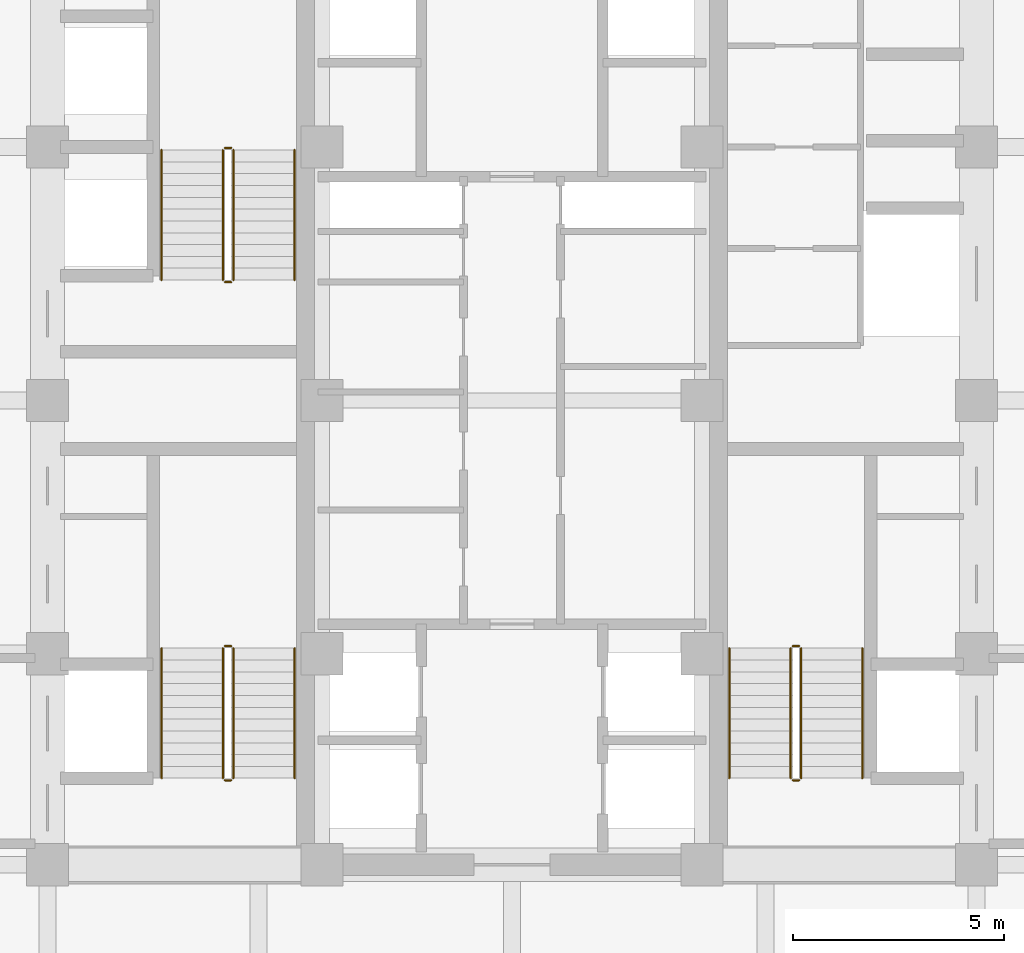
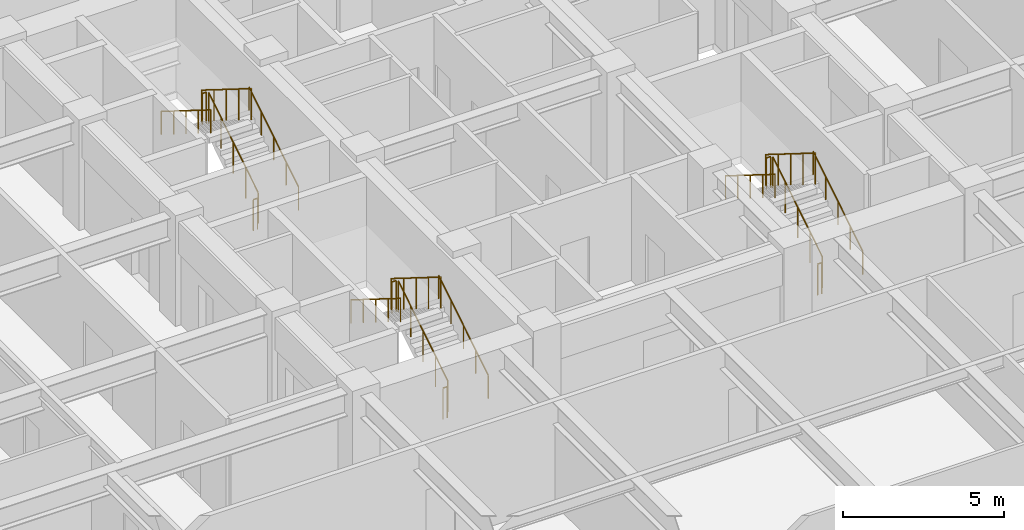
# One storey, part 28 of 28: 18 railings.
"""IFC4 building model written with IfcOpenShell, lengths in metres."""

from ifc_helpers import new_model, si_unit, direction, frame, origin, origin_2d, place, context, subcontext, project, spatial, circle, extrude, source, transform, mapped, material, type_object, element, save


model = new_model("IFC4")

# Units and contexts
model_context = context("Model", 3, precision=1e-05, world=origin(), true_north=direction((0.0, 1.0)))
body_context = subcontext(model_context, "Body", "Model", "MODEL_VIEW")
ifc_project = project(units=[si_unit("LENGTHUNIT", "METRE"), si_unit("AREAUNIT", "SQUARE_METRE"), si_unit("VOLUMEUNIT", "CUBIC_METRE"), si_unit("PLANEANGLEUNIT", "RADIAN"), si_unit("MASSUNIT", "GRAM", prefix="KILO")], contexts=[model_context])

# Site, building, storey
site_placement = place(None, origin())
site = spatial("IfcSite", under=ifc_project, at=site_placement, CompositionType="ELEMENT")
building_placement = place(site_placement, origin())
building = spatial("IfcBuilding", under=site, at=building_placement, Name="Khorayat Bourse Tower", CompositionType="ELEMENT")
storey_placement = place(building_placement, frame((0.0, 0.0, 57.800048828125)))
storey = spatial("IfcBuildingStorey", under=building, at=storey_placement, Name="L12", CompositionType="ELEMENT", Elevation=57.800048828125)

# Railings
ifc_material_1 = material(Name="Powder-coated steel balustrade", Category="steel")
railing_type_1 = type_object("IfcRailingType", Name="RLG-GUARD-1200", PredefinedType="GUARDRAIL", material=ifc_material_1)
shared_shape_1 = source(origin(), body_context, "Body", "SweptSolid", [
    extrude(circle(Radius=0.02392578125, at=origin_2d()), frame((0.0, 0.0, 1.17578125), z_axis=(-1.0, 0.0, 0.0), x_axis=(0.0, -1.0, 0.0)), (0.0, 0.0, 1.0), 0.150146484375),
    extrude(circle(Radius=0.02099609375, at=origin_2d()), origin(), (0.0, 0.0, 1.0), 1.15185546875),
    extrude(circle(Radius=0.02099609375, at=origin_2d()), frame((-0.150146484375, 0.0, 0.0)), (0.0, 0.0, 1.0), 1.15185546875),
])
for number, where, name in (
    (1, (-6.64990234375, -5.820068359375, 2.099853515625), "L12 ST-1 stair guard 2"),
    (2, (-6.64990234375, -9.0, 0.0), "L12 ST-1 stair guard 4"),
    (3, (-6.64990234375, 5.97998046875, 2.099853515625), "L12 ST-2 stair guard 2"),
    (4, (-6.64990234375, 2.800048828125, 0.0), "L12 ST-2 stair guard 4"),
    (5, (6.800048828125, -5.820068359375, 2.099853515625), "L12 ST-3 stair guard 2"),
    (6, (6.800048828125, -9.0, 0.0), "L12 ST-3 stair guard 4"),
):
    element("IfcRailing", number, at=place(storey_placement, frame(where)), inside=storey, type_object=railing_type_1, Name=name, PredefinedType="GUARDRAIL", context=body_context, shape_type="MappedRepresentation", body=[
        mapped(shared_shape_1, transform((0.0, 0.0, 0.0), scale=1.0)),
    ])
shared_shape_2 = source(origin(), body_context, "Body", "SweptSolid", [
    extrude(circle(Radius=0.02392578125, at=origin_2d()), frame((0.0, 0.0, 1.17578125), z_axis=(0.0, -0.847979421464, 0.530029150871), x_axis=(1.0, 0.0, 0.0)), (0.0, 0.0, 1.0), 3.632080078125),
    extrude(circle(Radius=0.02099609375, at=origin_2d()), origin(), (0.0, 0.0, 1.0), 1.15185546875),
    extrude(circle(Radius=0.02099609375, at=origin_2d()), frame((0.0, -0.77001953125, 0.481201171875)), (0.0, 0.0, 1.0), 1.15185546875),
    extrude(circle(Radius=0.02099609375, at=origin_2d()), frame((0.0, -1.5400390625, 0.96240234375)), (0.0, 0.0, 1.0), 1.15185546875),
    extrude(circle(Radius=0.02099609375, at=origin_2d()), frame((0.0, -2.309814453125, 1.44384765625)), (0.0, 0.0, 1.0), 1.15185546875),
    extrude(circle(Radius=0.02099609375, at=origin_2d()), frame((0.0, -3.079833984375, 1.925048828125)), (0.0, 0.0, 1.0), 1.15185546875),
])
for number, where, name in (
    (7, (-6.85009765625, -5.8701171875, 2.27490234375), "L12 ST-1 stair guard 3"),
    (8, (-6.85009765625, 5.929931640625, 2.27490234375), "L12 ST-2 stair guard 3"),
    (9, (6.60009765625, -5.8701171875, 2.27490234375), "L12 ST-3 stair guard 3"),
):
    element("IfcRailing", number, at=place(storey_placement, frame(where)), inside=storey, type_object=railing_type_1, Name=name, PredefinedType="GUARDRAIL", context=body_context, shape_type="MappedRepresentation", body=[
        mapped(shared_shape_2, transform((0.0, 0.0, 0.0), scale=1.0)),
    ])
ifc_material_2 = material(Name="Brushed bronze stainless-steel handrail", Category="steel")
railing_type_2 = type_object("IfcRailingType", Name="RLG-HAND-900", PredefinedType="HANDRAIL", material=ifc_material_2)
shared_shape_3 = source(origin(), body_context, "Body", "SweptSolid", [
    extrude(circle(Radius=0.02392578125, at=origin_2d()), frame((0.0, 0.0, 0.8759765625), z_axis=(0.0, -0.847979421464, 0.530029150871), x_axis=(1.0, 0.0, 0.0)), (0.0, 0.0, 1.0), 3.632080078125),
    extrude(circle(Radius=0.02099609375, at=origin_2d()), origin(), (0.0, 0.0, 1.0), 0.851806640625),
    extrude(circle(Radius=0.02099609375, at=origin_2d()), frame((0.0, -0.77001953125, 0.481201171875)), (0.0, 0.0, 1.0), 0.851806640625),
    extrude(circle(Radius=0.02099609375, at=origin_2d()), frame((0.0, -1.5400390625, 0.96240234375)), (0.0, 0.0, 1.0), 0.851806640625),
    extrude(circle(Radius=0.02099609375, at=origin_2d()), frame((0.0, -2.309814453125, 1.44384765625)), (0.0, 0.0, 1.0), 0.851806640625),
    extrude(circle(Radius=0.02099609375, at=origin_2d()), frame((0.0, -3.079833984375, 1.925048828125)), (0.0, 0.0, 1.0), 0.851806640625),
])
for number, where, name in (
    (10, (-8.300048828125, -5.8701171875, 2.27490234375), "L12 ST-1 stair handrail 2"),
    (11, (-8.300048828125, 5.929931640625, 2.27490234375), "L12 ST-2 stair handrail 2"),
    (12, (5.14990234375, -5.8701171875, 2.27490234375), "L12 ST-3 stair handrail 2"),
):
    element("IfcRailing", number, at=place(storey_placement, frame(where)), inside=storey, type_object=railing_type_2, Name=name, PredefinedType="HANDRAIL", context=body_context, shape_type="MappedRepresentation", body=[
        mapped(shared_shape_3, transform((0.0, 0.0, 0.0), scale=1.0)),
    ])
shared_shape_4 = source(origin(), body_context, "Body", "SweptSolid", [
    extrude(circle(Radius=0.02392578125, at=origin_2d()), frame((0.0, 0.0, 1.17578125), z_axis=(0.0, 0.848009633417, 0.529980812513), x_axis=(-1.0, 0.0, 0.0)), (0.0, 0.0, 1.0), 3.6318359375),
    extrude(circle(Radius=0.02099609375, at=origin_2d()), origin(), (0.0, 0.0, 1.0), 1.15185546875),
    extrude(circle(Radius=0.02099609375, at=origin_2d()), frame((0.0, 0.77001953125, 0.481201171875)), (0.0, 0.0, 1.0), 1.15185546875),
    extrude(circle(Radius=0.02099609375, at=origin_2d()), frame((0.0, 1.5400390625, 0.96240234375)), (0.0, 0.0, 1.0), 1.15185546875),
    extrude(circle(Radius=0.02099609375, at=origin_2d()), frame((0.0, 2.309814453125, 1.443603515625)), (0.0, 0.0, 1.0), 1.15185546875),
    extrude(circle(Radius=0.02099609375, at=origin_2d()), frame((0.0, 3.079833984375, 1.9248046875)), (0.0, 0.0, 1.0), 1.15185546875),
])
for number, where, name in (
    (13, (-6.60009765625, -8.949951171875, 0.175048828125), "L12 ST-1 stair guard 1"),
    (14, (-6.60009765625, 2.85009765625, 0.175048828125), "L12 ST-2 stair guard 1"),
    (15, (6.85009765625, -8.949951171875, 0.175048828125), "L12 ST-3 stair guard 1"),
):
    element("IfcRailing", number, at=place(storey_placement, frame(where)), inside=storey, type_object=railing_type_1, Name=name, PredefinedType="GUARDRAIL", context=body_context, shape_type="MappedRepresentation", body=[
        mapped(shared_shape_4, transform((0.0, 0.0, 0.0), scale=1.0)),
    ])
shared_shape_5 = source(origin(), body_context, "Body", "SweptSolid", [
    extrude(circle(Radius=0.02392578125, at=origin_2d()), frame((0.0, 0.0, 0.8759765625), z_axis=(0.0, 0.848009633417, 0.529980812513), x_axis=(-1.0, 0.0, 0.0)), (0.0, 0.0, 1.0), 3.6318359375),
    extrude(circle(Radius=0.02099609375, at=origin_2d()), origin(), (0.0, 0.0, 1.0), 0.851806640625),
    extrude(circle(Radius=0.02099609375, at=origin_2d()), frame((0.0, 0.77001953125, 0.481201171875)), (0.0, 0.0, 1.0), 0.851806640625),
    extrude(circle(Radius=0.02099609375, at=origin_2d()), frame((0.0, 1.5400390625, 0.96240234375)), (0.0, 0.0, 1.0), 0.851806640625),
    extrude(circle(Radius=0.02099609375, at=origin_2d()), frame((0.0, 2.309814453125, 1.443603515625)), (0.0, 0.0, 1.0), 0.851806640625),
    extrude(circle(Radius=0.02099609375, at=origin_2d()), frame((0.0, 3.079833984375, 1.9248046875)), (0.0, 0.0, 1.0), 0.851806640625),
])
for number, where, name in (
    (16, (-5.14990234375, -8.949951171875, 0.175048828125), "L12 ST-1 stair handrail 1"),
    (17, (-5.14990234375, 2.85009765625, 0.175048828125), "L12 ST-2 stair handrail 1"),
    (18, (8.300048828125, -8.949951171875, 0.175048828125), "L12 ST-3 stair handrail 1"),
):
    element("IfcRailing", number, at=place(storey_placement, frame(where)), inside=storey, type_object=railing_type_2, Name=name, PredefinedType="HANDRAIL", context=body_context, shape_type="MappedRepresentation", body=[
        mapped(shared_shape_5, transform((0.0, 0.0, 0.0), scale=1.0)),
    ])

save(model, "model.ifc")
